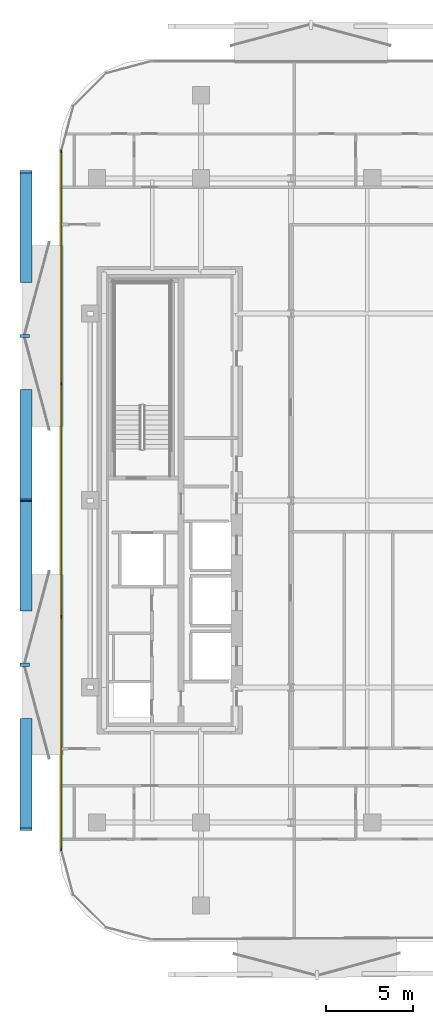
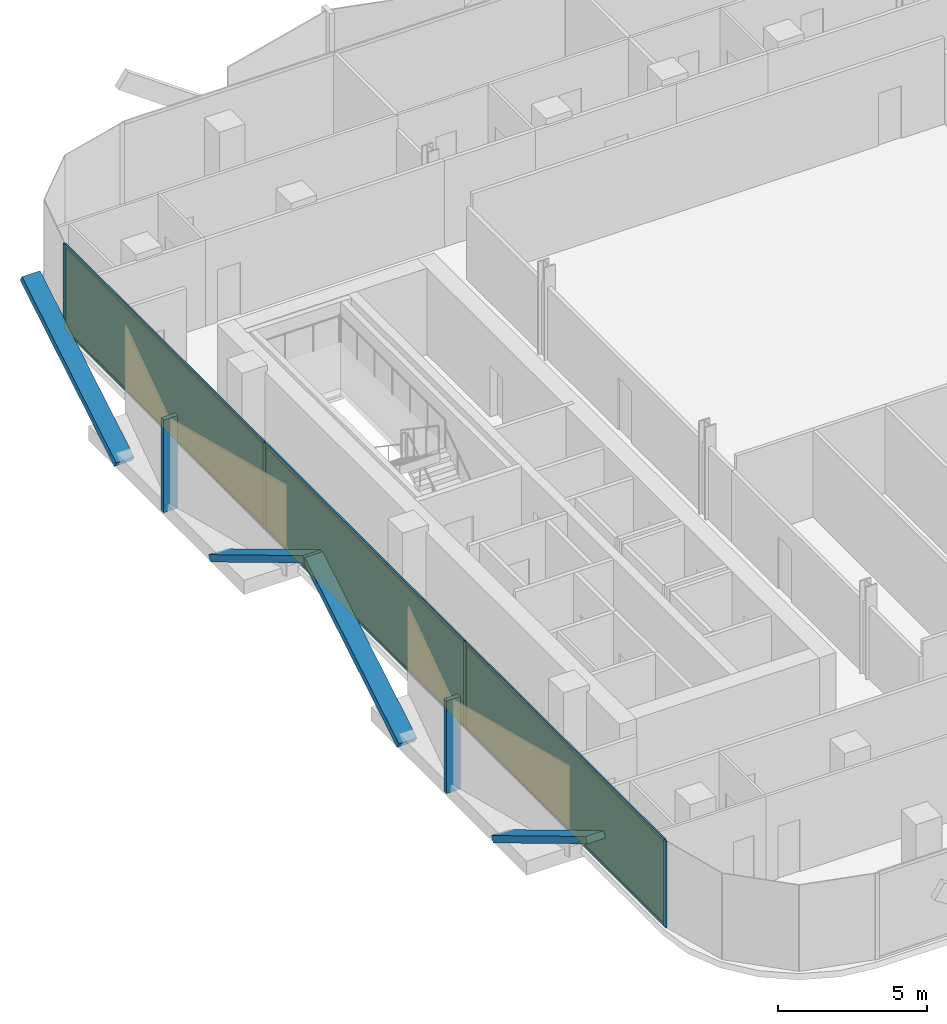
# One storey, part 10 of 17: 16 members, 3 plates, 1 curtain wall.
"""IFC4 building model written with IfcOpenShell, lengths in metres."""

from ifc_helpers import new_model, si_unit, direction, frame, frame_2d, origin, origin_2d, place, context, subcontext, project, spatial, rectangle, extrude, material, layer, layer_set, material_profile, profile_set, type_object, element, aggregate, save


model = new_model("IFC4")

# Units and contexts
model_context = context("Model", 3, precision=1e-05, world=origin(), true_north=direction((0.0, 1.0)))
body_context = subcontext(model_context, "Body", "Model", "MODEL_VIEW")
ifc_project = project(units=[si_unit("LENGTHUNIT", "METRE"), si_unit("AREAUNIT", "SQUARE_METRE"), si_unit("VOLUMEUNIT", "CUBIC_METRE"), si_unit("PLANEANGLEUNIT", "RADIAN"), si_unit("MASSUNIT", "GRAM", prefix="KILO")], contexts=[model_context])

# Member
ifc_material_1 = material(Name="Anodised Bronze Aluminium 6063-T6", Category="aluminium")
ifc_material_profile_1 = material_profile(ifc_material_1, rectangle(XDim=0.260009765625, YDim=0.699951171875, at=origin_2d()))
ifc_profile_set_1 = profile_set([ifc_material_profile_1], Name="Anodised Bronze Aluminium 6063-T6")
member_type_1 = type_object("IfcMemberType", Name="Bronze Diamond Solar-Screen Lattice Rib BDL-700", PredefinedType="MULLION", material=ifc_profile_set_1)
site_placement = place(None, origin())
building_placement = place(site_placement, origin())
storey_placement = place(building_placement, frame((0.0, 0.0, 203.0)))
member_1_placement = place(storey_placement, frame((-24.5, -6.330322265625, -0.1298828125), z_axis=(0.0, 0.857396627106, 0.51465621907), x_axis=(0.0, -0.51465621907, 0.857396627106)))
member_1 = element("IfcMember", 1, at=member_1_placement, type_object=member_type_1, Name="L47 Bronze Diamond Solar Screen Lattice Rib 315A", PredefinedType="MULLION", context=body_context, shape_type="SweptSolid", body=[
    extrude(rectangle(XDim=0.260009765625, YDim=0.699951171875, at=origin_2d()), origin(), (0.0, 0.0, 1.0), 7.38330078125),
])

member_2_placement = place(storey_placement, frame((-24.5, -12.660400390625, -0.1298828125), z_axis=(0.0, -0.857396627106, 0.51465621907), x_axis=(0.0, 0.51465621907, 0.857396627106)))
member_2 = element("IfcMember", 2, at=member_2_placement, type_object=member_type_1, Name="L47 Bronze Diamond Solar Screen Lattice Rib 315B", PredefinedType="MULLION", context=body_context, shape_type="SweptSolid", body=[
    extrude(rectangle(XDim=0.260009765625, YDim=0.699951171875, at=origin_2d()), origin(), (0.0, 0.0, 1.0), 7.38330078125),
])

member_3_placement = place(storey_placement, frame((-24.5, 12.660400390625, -0.1298828125), z_axis=(0.0, 0.857396627106, 0.51465621907), x_axis=(0.0, -0.51465621907, 0.857396627106)))
member_3 = element("IfcMember", 3, at=member_3_placement, type_object=member_type_1, Name="L47 Bronze Diamond Solar Screen Lattice Rib 316A", PredefinedType="MULLION", context=body_context, shape_type="SweptSolid", body=[
    extrude(rectangle(XDim=0.260009765625, YDim=0.699951171875, at=origin_2d()), origin(), (0.0, 0.0, 1.0), 7.38330078125),
])

member_4_placement = place(storey_placement, frame((-24.5, 6.330322265625, -0.1298828125), z_axis=(0.0, -0.857396627106, 0.51465621907), x_axis=(0.0, 0.51465621907, 0.857396627106)))
member_4 = element("IfcMember", 4, at=member_4_placement, type_object=member_type_1, Name="L47 Bronze Diamond Solar Screen Lattice Rib 316B", PredefinedType="MULLION", context=body_context, shape_type="SweptSolid", body=[
    extrude(rectangle(XDim=0.260009765625, YDim=0.699951171875, at=origin_2d()), origin(), (0.0, 0.0, 1.0), 7.38330078125),
])

ifc_material_2 = material(Name="Anodised Bronze Aluminium 6063-T6", Category="aluminium")
ifc_material_profile_2 = material_profile(ifc_material_2, rectangle(XDim=0.179931640625, YDim=0.5400390625, at=origin_2d()))
ifc_profile_set_2 = profile_set([ifc_material_profile_2], Name="Anodised Bronze Aluminium 6063-T6")
member_type_2 = type_object("IfcMemberType", Name="Bronze Solar-Screen Vertical Fold Fin BSF-540", PredefinedType="MULLION", material=ifc_profile_set_2)
member_5_placement = place(storey_placement, frame((-24.580078125, -9.495361328125, -0.1298828125), z_axis=(0.0, 0.0, 1.0), x_axis=(0.0, 1.0, 0.0)))
member_5 = element("IfcMember", 5, at=member_5_placement, type_object=member_type_2, Name="L47 Bronze Solar Screen Vertical Fin 315", PredefinedType="MULLION", context=body_context, shape_type="SweptSolid", body=[
    extrude(rectangle(XDim=0.179931640625, YDim=0.5400390625, at=origin_2d()), origin(), (0.0, 0.0, 1.0), 3.7998046875),
])

member_6_placement = place(storey_placement, frame((-24.580078125, 9.495361328125, -0.1298828125), z_axis=(0.0, 0.0, 1.0), x_axis=(0.0, 1.0, 0.0)))
member_6 = element("IfcMember", 6, at=member_6_placement, type_object=member_type_2, Name="L47 Bronze Solar Screen Vertical Fin 316", PredefinedType="MULLION", context=body_context, shape_type="SweptSolid", body=[
    extrude(rectangle(XDim=0.179931640625, YDim=0.5400390625, at=origin_2d()), origin(), (0.0, 0.0, 1.0), 3.7998046875),
])

ifc_material_3 = material(Name="Anodised Bronze Aluminium 6063-T6", Category="aluminium")
ifc_material_profile_3 = material_profile(ifc_material_3, rectangle(XDim=0.06005859375, YDim=0.1650390625, at=origin_2d()))
ifc_profile_set_3 = profile_set([ifc_material_profile_3], Name="Anodised Bronze Aluminium 6063-T6")
member_type_3 = type_object("IfcMemberType", Name="CW-Z3 Mullion 60x165", PredefinedType="MULLION", material=ifc_profile_set_3)
member_7_placement = place(storey_placement, frame((-22.4599609375, -20.160888671875, 0.0), z_axis=(0.0, 0.0, 1.0), x_axis=(-1.0, 0.0, 0.0)))
member_7 = element("IfcMember", 7, at=member_7_placement, type_object=member_type_3, Name="CW-Z3 mullion 1", PredefinedType="MULLION", context=body_context, shape_type="SweptSolid", body=[
    extrude(rectangle(XDim=0.06005859375, YDim=0.1650390625, at=origin_2d()), origin(), (0.0, 0.0, 1.0), 3.5400390625),
])

member_8_placement = place(storey_placement, frame((-22.4599609375, -6.730224609375, 0.0), z_axis=(0.0, 0.0, 1.0), x_axis=(-1.0, 0.0, 0.0)))
member_8 = element("IfcMember", 8, at=member_8_placement, type_object=member_type_3, Name="CW-Z3 mullion 2", PredefinedType="MULLION", context=body_context, shape_type="SweptSolid", body=[
    extrude(rectangle(XDim=0.06005859375, YDim=0.1650390625, at=origin_2d()), origin(), (0.0, 0.0, 1.0), 3.5400390625),
])

member_9_placement = place(storey_placement, frame((-22.4599609375, 6.730224609375, 0.0), z_axis=(0.0, 0.0, 1.0), x_axis=(-1.0, 0.0, 0.0)))
member_9 = element("IfcMember", 9, at=member_9_placement, type_object=member_type_3, Name="CW-Z3 mullion 3", PredefinedType="MULLION", context=body_context, shape_type="SweptSolid", body=[
    extrude(rectangle(XDim=0.06005859375, YDim=0.1650390625, at=origin_2d()), origin(), (0.0, 0.0, 1.0), 3.5400390625),
])

member_10_placement = place(storey_placement, frame((-22.4599609375, 20.160888671875, 0.0), z_axis=(0.0, 0.0, 1.0), x_axis=(-1.0, 0.0, 0.0)))
member_10 = element("IfcMember", 10, at=member_10_placement, type_object=member_type_3, Name="CW-Z3 mullion 4", PredefinedType="MULLION", context=body_context, shape_type="SweptSolid", body=[
    extrude(rectangle(XDim=0.06005859375, YDim=0.1650390625, at=origin_2d()), origin(), (0.0, 0.0, 1.0), 3.5400390625),
])

ifc_material_4 = material(Name="Anodised Bronze Aluminium 6063-T6", Category="aluminium")
ifc_material_profile_4 = material_profile(ifc_material_4, rectangle(XDim=0.06005859375, YDim=0.1298828125, at=origin_2d()))
ifc_profile_set_4 = profile_set([ifc_material_profile_4], Name="Anodised Bronze Aluminium 6063-T6")
member_type_4 = type_object("IfcMemberType", Name="CW-Z3 Transom 60x130", PredefinedType="USERDEFINED", material=ifc_profile_set_4)
member_11_placement = place(storey_placement, frame((-22.4599609375, -20.130859375, 0.030029296875), z_axis=(0.0, 1.0, 0.0), x_axis=(-1.0, 0.0, 0.0)))
member_11 = element("IfcMember", 11, at=member_11_placement, type_object=member_type_4, Name="CW-Z3 transom 1.1", ObjectType="TRANSOM", PredefinedType="USERDEFINED", context=body_context, shape_type="SweptSolid", body=[
    extrude(rectangle(XDim=0.06005859375, YDim=0.1298828125, at=origin_2d()), origin(), (0.0, 0.0, 1.0), 13.37060546875),
])

member_12_placement = place(storey_placement, frame((-22.4599609375, -20.130859375, 3.510009765625), z_axis=(0.0, 1.0, 0.0), x_axis=(-1.0, 0.0, 0.0)))
member_12 = element("IfcMember", 12, at=member_12_placement, type_object=member_type_4, Name="CW-Z3 transom 1.2", ObjectType="TRANSOM", PredefinedType="USERDEFINED", context=body_context, shape_type="SweptSolid", body=[
    extrude(rectangle(XDim=0.06005859375, YDim=0.1298828125, at=origin_2d()), origin(), (0.0, 0.0, 1.0), 13.37060546875),
])

member_13_placement = place(storey_placement, frame((-22.4599609375, -6.7001953125, 0.030029296875), z_axis=(0.0, 1.0, 0.0), x_axis=(-1.0, 0.0, 0.0)))
member_13 = element("IfcMember", 13, at=member_13_placement, type_object=member_type_4, Name="CW-Z3 transom 2.1", ObjectType="TRANSOM", PredefinedType="USERDEFINED", context=body_context, shape_type="SweptSolid", body=[
    extrude(rectangle(XDim=0.06005859375, YDim=0.1298828125, at=origin_2d()), origin(), (0.0, 0.0, 1.0), 13.400390625),
])

member_14_placement = place(storey_placement, frame((-22.4599609375, -6.7001953125, 3.510009765625), z_axis=(0.0, 1.0, 0.0), x_axis=(-1.0, 0.0, 0.0)))
member_14 = element("IfcMember", 14, at=member_14_placement, type_object=member_type_4, Name="CW-Z3 transom 2.2", ObjectType="TRANSOM", PredefinedType="USERDEFINED", context=body_context, shape_type="SweptSolid", body=[
    extrude(rectangle(XDim=0.06005859375, YDim=0.1298828125, at=origin_2d()), origin(), (0.0, 0.0, 1.0), 13.400390625),
])

member_15_placement = place(storey_placement, frame((-22.4599609375, 6.76025390625, 0.030029296875), z_axis=(0.0, 1.0, 0.0), x_axis=(-1.0, 0.0, 0.0)))
member_15 = element("IfcMember", 15, at=member_15_placement, type_object=member_type_4, Name="CW-Z3 transom 3.1", ObjectType="TRANSOM", PredefinedType="USERDEFINED", context=body_context, shape_type="SweptSolid", body=[
    extrude(rectangle(XDim=0.06005859375, YDim=0.1298828125, at=origin_2d()), origin(), (0.0, 0.0, 1.0), 13.37060546875),
])

member_16_placement = place(storey_placement, frame((-22.4599609375, 6.76025390625, 3.510009765625), z_axis=(0.0, 1.0, 0.0), x_axis=(-1.0, 0.0, 0.0)))
member_16 = element("IfcMember", 16, at=member_16_placement, type_object=member_type_4, Name="CW-Z3 transom 3.2", ObjectType="TRANSOM", PredefinedType="USERDEFINED", context=body_context, shape_type="SweptSolid", body=[
    extrude(rectangle(XDim=0.06005859375, YDim=0.1298828125, at=origin_2d()), origin(), (0.0, 0.0, 1.0), 13.37060546875),
])

# Plate
ifc_material_5 = material(Name="Low-E Solar Control Laminated Glass", Category="glass")
ifc_layer_1 = layer(ifc_material_5, 0.030029296875, Name="Low-E Solar Control Laminated Glass")
ifc_layer_set_1 = layer_set([ifc_layer_1], Name="Low-E Solar Control Laminated Glass")
plate_type = type_object("IfcPlateType", Name="CW-Z3 Low-E Double Glazed Panel 30mm", PredefinedType="CURTAIN_PANEL", material=ifc_layer_set_1)
plate_1_placement = place(storey_placement, frame((-22.4599609375, -13.445556640625, 0.06005859375), z_axis=(0.0, 0.0, 1.0), x_axis=(0.0, 1.0, 0.0)))
plate_1 = element("IfcPlate", 17, at=plate_1_placement, type_object=plate_type, Name="CW-Z3 panel 1.1", PredefinedType="CURTAIN_PANEL", context=body_context, shape_type="SweptSolid", body=[
    extrude(rectangle(XDim=13.37060546875, YDim=0.030029296875, at=origin_2d()), origin(), (0.0, 0.0, 1.0), 3.419921875),
])

plate_2_placement = place(storey_placement, frame((-22.4599609375, 0.0, 0.06005859375), z_axis=(0.0, 0.0, 1.0), x_axis=(0.0, 1.0, 0.0)))
plate_2 = element("IfcPlate", 18, at=plate_2_placement, type_object=plate_type, Name="CW-Z3 panel 2.1", PredefinedType="CURTAIN_PANEL", context=body_context, shape_type="SweptSolid", body=[
    extrude(rectangle(XDim=13.400634765625, YDim=0.030029296875, at=origin_2d()), origin(), (0.0, 0.0, 1.0), 3.419921875),
])

plate_3_placement = place(storey_placement, frame((-22.4599609375, 13.445556640625, 0.06005859375), z_axis=(0.0, 0.0, 1.0), x_axis=(0.0, 1.0, 0.0)))
plate_3 = element("IfcPlate", 19, at=plate_3_placement, type_object=plate_type, Name="CW-Z3 panel 3.1", PredefinedType="CURTAIN_PANEL", context=body_context, shape_type="SweptSolid", body=[
    extrude(rectangle(XDim=13.37060546875, YDim=0.030029296875, at=origin_2d()), origin(), (0.0, 0.0, 1.0), 3.419921875),
])

# Site, building, storey
site = spatial("IfcSite", under=ifc_project, at=site_placement, CompositionType="ELEMENT")
building = spatial("IfcBuilding", under=site, at=building_placement, Name="Khairoan Windgate Tower", CompositionType="ELEMENT")
storey = spatial("IfcBuildingStorey", under=building, at=storey_placement, Name="L47", CompositionType="ELEMENT", Elevation=203.0)

# Curtain wall
ifc_material_6 = material(Name="Anodised Bronze Aluminium 6063-T6", Category="aluminium")
ifc_layer_2 = layer(ifc_material_6, 0.1650390625, Name="Anodised Bronze Aluminium 6063-T6")
ifc_layer_set_2 = layer_set([ifc_layer_2], Name="Anodised Bronze Aluminium 6063-T6")
curtain_wall_type = type_object("IfcCurtainWallType", Name="Luxury Hotel Acoustic Curtain Wall CW-Z3", PredefinedType="NOTDEFINED", material=ifc_layer_set_2)
curtain_wall_placement = place(storey_placement, frame((-22.4599609375, -20.19091796875, 0.0), z_axis=(0.0, 0.0, 1.0), x_axis=(0.0, 1.0, 0.0)))
curtain_wall = element("IfcCurtainWall", 20, at=curtain_wall_placement, inside=storey, type_object=curtain_wall_type, Name="L47 Unitised Curtain Wall 5", PredefinedType="NOTDEFINED", context=body_context, shape_type="SweptSolid", body=[
    extrude(rectangle(XDim=40.3818359375, YDim=0.010009765625, at=frame_2d((20.19091796875, 0.0))), origin(), (0.0, 0.0, 1.0), 3.5400390625),
])

aggregate(curtain_wall, [member_7, member_8, member_9, member_10, member_11, member_12, plate_1, member_13, member_14, plate_2, member_15, member_16, plate_3, member_1, member_2, member_5, member_3, member_4, member_6])

save(model, "model.ifc")
